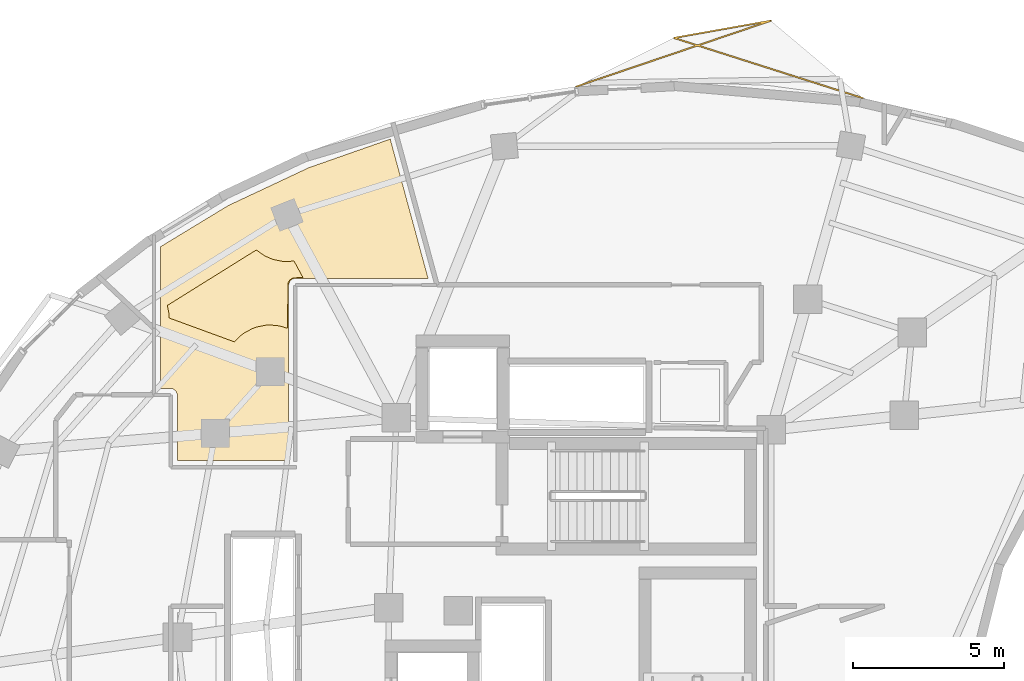
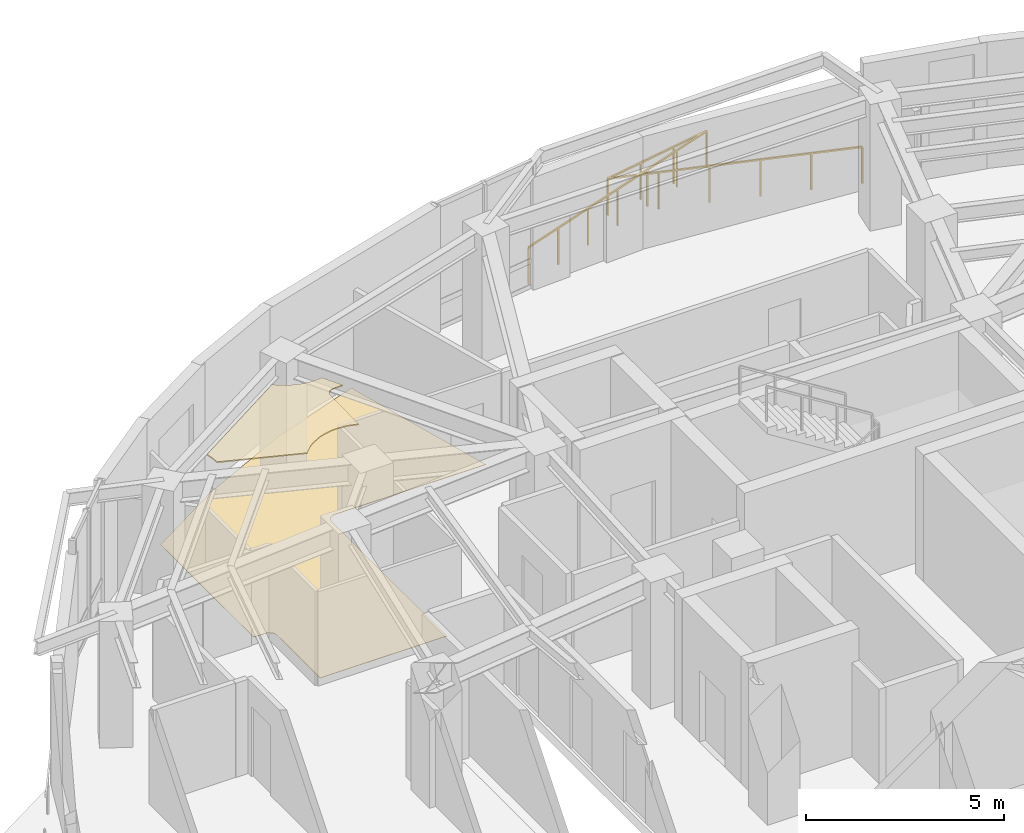
# One storey, part 14 of 14: 2 coverings, 1 railing.
"""IFC4 building model written with IfcOpenShell, lengths in metres."""

from ifc_helpers import new_model, si_unit, direction, frame, origin, origin_2d, place, context, subcontext, project, spatial, polyline, rectangle, outline, extrude, material, layer, layer_set, type_object, element, save


model = new_model("IFC4")

# Units and contexts
model_context = context("Model", 3, precision=1e-05, world=origin(), true_north=direction((0.0, 1.0)))
body_context = subcontext(model_context, "Body", "Model", "MODEL_VIEW")
ifc_project = project(units=[si_unit("LENGTHUNIT", "METRE"), si_unit("AREAUNIT", "SQUARE_METRE"), si_unit("VOLUMEUNIT", "CUBIC_METRE"), si_unit("PLANEANGLEUNIT", "RADIAN"), si_unit("MASSUNIT", "GRAM", prefix="KILO")], contexts=[model_context])

# Site, building, storey
site_placement = place(None, origin())
site = spatial("IfcSite", under=ifc_project, at=site_placement, CompositionType="ELEMENT")
building_placement = place(site_placement, origin())
building = spatial("IfcBuilding", under=site, at=building_placement, Name="Korentha Bioscience Tower", CompositionType="ELEMENT")
storey_placement = place(building_placement, frame((0.0, 0.0, 264.60009765625)))
storey = spatial("IfcBuildingStorey", under=building, at=storey_placement, Name="L61", CompositionType="ELEMENT", Elevation=264.60009765625)

# Railing
ifc_material_1 = material(Name="Laminated Tempered Safety Glass", Category="glass")
railing_type = type_object("IfcRailingType", Name="Laminated Glass Balcony Guardrail 1150", PredefinedType="BALUSTRADE", material=ifc_material_1)
railing_placement = place(storey_placement, frame((40.58544921875, 46.86376953125, 0.0)))
element("IfcRailing", 1, at=railing_placement, inside=storey, type_object=railing_type, Name="L61 Balcony Guardrail 01", PredefinedType="BALUSTRADE", context=body_context, shape_type="SweptSolid", body=[
    extrude(rectangle(XDim=0.048095703125, YDim=0.048095703125, at=origin_2d()), frame((0.0, 0.0, 1.1259765625), z_axis=(-0.952784401028, 0.303647633217, 0.0), x_axis=(-0.303647633217, -0.952784401028, 0.0)), (0.0, 0.0, 1.0), 6.581787109375),
    extrude(rectangle(XDim=0.048095703125, YDim=0.048095703125, at=origin_2d()), frame((-6.27099609375, 1.99853515625, 1.1259765625), z_axis=(0.984583406865, 0.174915736644, 0.0), x_axis=(-0.174915736644, 0.984583406865, 0.0)), (0.0, 0.0, 1.0), 3.2646484375),
    extrude(rectangle(XDim=0.048095703125, YDim=0.048095703125, at=origin_2d()), frame((-3.056640625, 2.569580078125, 1.1259765625), z_axis=(-0.947164584916, -0.320747952576, 0.0), x_axis=(0.320747952576, -0.947164584916, 0.0)), (0.0, 0.0, 1.0), 6.816162109375),
    extrude(rectangle(XDim=0.0419921875, YDim=0.0419921875, at=origin_2d()), origin(), (0.0, 0.0, 1.0), 1.101806640625),
    extrude(rectangle(XDim=0.0419921875, YDim=0.0419921875, at=origin_2d()), frame((-1.254150390625, 0.399658203125, 0.0)), (0.0, 0.0, 1.0), 1.101806640625),
    extrude(rectangle(XDim=0.0419921875, YDim=0.0419921875, at=origin_2d()), frame((-2.50830078125, 0.79931640625, 0.0)), (0.0, 0.0, 1.0), 1.101806640625),
    extrude(rectangle(XDim=0.0419921875, YDim=0.0419921875, at=origin_2d()), frame((-3.7626953125, 1.19921875, 0.0)), (0.0, 0.0, 1.0), 1.101806640625),
    extrude(rectangle(XDim=0.0419921875, YDim=0.0419921875, at=origin_2d()), frame((-5.016845703125, 1.598876953125, 0.0)), (0.0, 0.0, 1.0), 1.101806640625),
    extrude(rectangle(XDim=0.0419921875, YDim=0.0419921875, at=origin_2d()), frame((-6.27099609375, 1.99853515625, 0.0)), (0.0, 0.0, 1.0), 1.101806640625),
    extrude(rectangle(XDim=0.0419921875, YDim=0.0419921875, at=origin_2d()), frame((-5.199462890625, 2.18896484375, 0.0)), (0.0, 0.0, 1.0), 1.101806640625),
    extrude(rectangle(XDim=0.0419921875, YDim=0.0419921875, at=origin_2d()), frame((-4.128173828125, 2.379150390625, 0.0)), (0.0, 0.0, 1.0), 1.101806640625),
    extrude(rectangle(XDim=0.0419921875, YDim=0.0419921875, at=origin_2d()), frame((-3.056640625, 2.569580078125, 0.0)), (0.0, 0.0, 1.0), 1.101806640625),
    extrude(rectangle(XDim=0.0419921875, YDim=0.0419921875, at=origin_2d()), frame((-4.132568359375, 2.205078125, 0.0)), (0.0, 0.0, 1.0), 1.101806640625),
    extrude(rectangle(XDim=0.0419921875, YDim=0.0419921875, at=origin_2d()), frame((-5.208740234375, 1.8408203125, 0.0)), (0.0, 0.0, 1.0), 1.101806640625),
    extrude(rectangle(XDim=0.0419921875, YDim=0.0419921875, at=origin_2d()), frame((-6.28466796875, 1.4765625, 0.0)), (0.0, 0.0, 1.0), 1.101806640625),
    extrude(rectangle(XDim=0.0419921875, YDim=0.0419921875, at=origin_2d()), frame((-7.360595703125, 1.112060546875, 0.0)), (0.0, 0.0, 1.0), 1.101806640625),
    extrude(rectangle(XDim=0.0419921875, YDim=0.0419921875, at=origin_2d()), frame((-8.436767578125, 0.74755859375, 0.0)), (0.0, 0.0, 1.0), 1.101806640625),
    extrude(rectangle(XDim=0.0419921875, YDim=0.0419921875, at=origin_2d()), frame((-9.5126953125, 0.38330078125, 0.0)), (0.0, 0.0, 1.0), 1.101806640625),
])

# Coverings
ifc_material_2 = material(Name="Antimicrobial Mineral Fibre Board", Category="gypsum")
ifc_layer_1 = layer(ifc_material_2, 0.034912109375, Name="Antimicrobial Mineral Fibre Board")
ifc_layer_set_1 = layer_set([ifc_layer_1], Name="Antimicrobial Mineral Fibre Board (CL-MF35)")
covering_type_1 = type_object("IfcCoveringType", Name="Mineral-Fibre Cleanroom Suspended Ceiling 35", PredefinedType="CEILING", material=ifc_layer_set_1)
covering_1_placement = place(storey_placement, frame((0.0, 0.0, 3.864990234375)))
element("IfcCovering", 2, at=covering_1_placement, inside=storey, type_object=covering_type_1, Name="L61 Postdoctoral Fellows' Quiet Study 09 Acoustic Ceiling", PredefinedType="CEILING", context=body_context, shape_type="SweptSolid", body=[
    extrude(outline(polyline([(20.448974609375, 41.821044921875), (20.73779296875, 41.619384765625), (21.0185546875, 41.5029296875), (21.31640625, 41.44384765625), (21.468505859375, 41.436279296875), (21.70263671875, 41.4560546875), (21.9970703125, 40.909912109375), (21.662109375, 40.89453125), (21.556884765625, 40.82421875), (21.497802734375, 40.713623046875), (21.489990234375, 39.2197265625), (21.2177734375, 39.301513671875), (20.915283203125, 39.331298828125), (20.763427734375, 39.32373046875), (20.46533203125, 39.264404296875), (20.322021484375, 39.213134765625), (20.05419921875, 39.070068359375), (19.931884765625, 38.9794921875), (19.72314453125, 38.77099609375), (17.55224609375, 39.5654296875), (17.54541015625, 39.730712890625), (17.497802734375, 39.981201171875), (20.448974609375, 41.821044921875)])), origin(), (0.0, 0.0, 1.0), 0.034912109375),
])
ifc_material_3 = material(Name="Chemical-Resistant Epoxy Resin", Category="polymer")
ifc_layer_2 = layer(ifc_material_3, 0.011962890625, Name="Chemical-Resistant Epoxy Resin")
ifc_layer_set_2 = layer_set([ifc_layer_2], Name="Chemical-Resistant Epoxy Resin (FL-EPX)")
covering_type_2 = type_object("IfcCoveringType", Name="Seamless Epoxy Laboratory Flooring 12", PredefinedType="FLOORING", material=ifc_layer_set_2)
covering_2_placement = place(storey_placement, origin())
element("IfcCovering", 3, at=covering_2_placement, inside=storey, type_object=covering_type_2, Name="L61 Postdoctoral Fellows' Quiet Study 09 Floor Finish", PredefinedType="FLOORING", context=body_context, shape_type="SweptSolid", body=[
    extrude(outline(polyline([(17.27197265625, 37.22998046875), (17.27197265625, 41.930908203125), (19.515380859375, 43.294921875), (22.189453125, 44.552001953125), (24.896240234375, 45.502685546875), (26.152099609375, 40.8798828125), (21.75, 40.8798828125), (21.651123046875, 40.857666015625), (21.565673828125, 40.787353515625), (21.52001953125, 40.64990234375), (21.52001953125, 34.830078125), (17.830078125, 34.830078125), (17.82763671875, 37.033203125), (17.784423828125, 37.137451171875), (17.677001953125, 37.216796875), (17.27197265625, 37.22998046875)])), origin(), (0.0, 0.0, 1.0), 0.011962890625),
])

save(model, "model.ifc")
